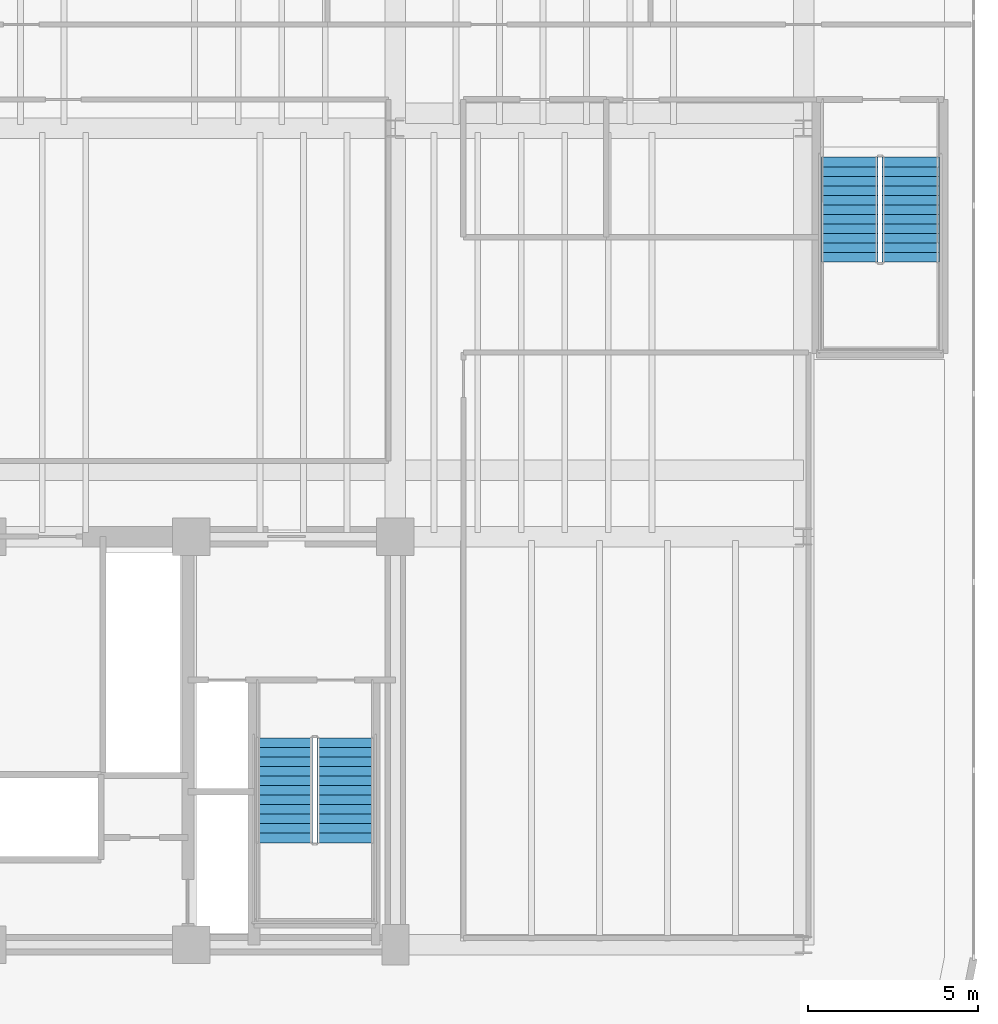
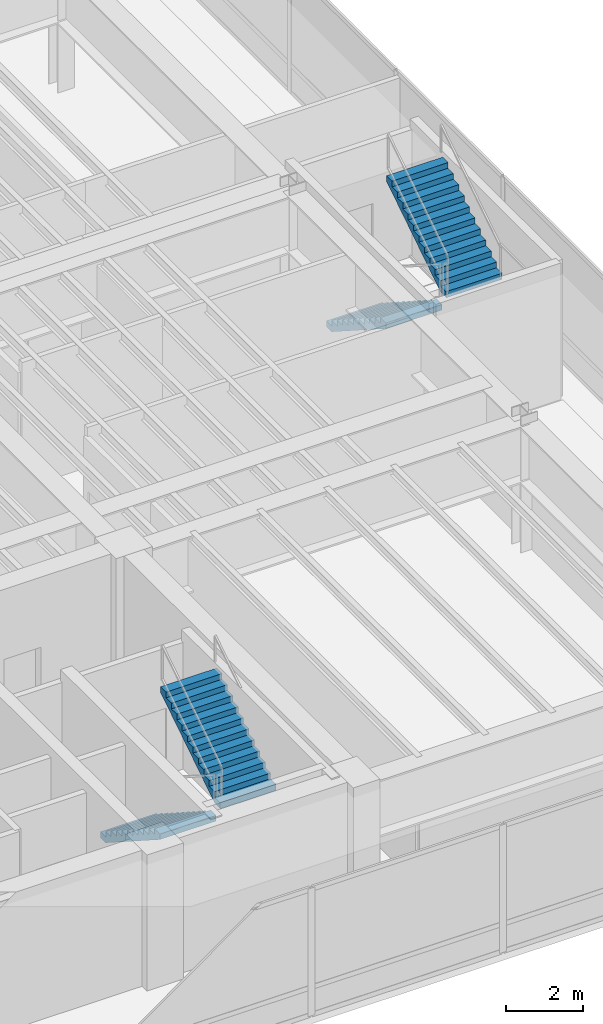
# One storey, part 16 of 19: 4 stair flights, 2 elements without a shape of their own.
"""IFC4 building model written with IfcOpenShell, lengths in metres."""

from ifc_helpers import new_model, si_unit, direction, frame, origin, place, context, subcontext, project, spatial, polyline, outline, extrude, material, type_object, element, aggregate, save


model = new_model("IFC4")

# Units and contexts
model_context = context("Model", 3, precision=1e-05, world=origin(), true_north=direction((0.0, 1.0)))
body_context = subcontext(model_context, "Body", "Model", "MODEL_VIEW")
ifc_project = project(units=[si_unit("LENGTHUNIT", "METRE"), si_unit("AREAUNIT", "SQUARE_METRE"), si_unit("VOLUMEUNIT", "CUBIC_METRE"), si_unit("PLANEANGLEUNIT", "RADIAN"), si_unit("MASSUNIT", "GRAM", prefix="KILO")], contexts=[model_context])

# Site, building, storey
site_placement = place(None, origin())
site = spatial("IfcSite", under=ifc_project, at=site_placement, CompositionType="ELEMENT")
building_placement = place(site_placement, origin())
building = spatial("IfcBuilding", under=site, at=building_placement, Name="Brelvock Crest Care Tower", CompositionType="ELEMENT")
storey_placement = place(building_placement, frame((0.0, 0.0, 18.360107421875)))
storey = spatial("IfcBuildingStorey", under=building, at=storey_placement, Name="L04", CompositionType="ELEMENT", Elevation=18.360107421875)

# Stair, stair flights
ifc_material = material(Name="Concrete N40 (40 MPa)", Category="concrete")
stair_type_1 = type_object("IfcStairType", Name="ST-CORE1", PredefinedType="HALF_TURN_STAIR", material=ifc_material)
stair_1_placement = place(storey_placement, origin())
stair_1 = element("IfcStair", 1, at=stair_1_placement, inside=storey, type_object=stair_type_1, Name="L04 Fire-Isolated Core Stair ST-2", PredefinedType="HALF_TURN_STAIR")
stair_flight_type_1 = type_object("IfcStairFlightType", Name="STF-1", PredefinedType="STRAIGHT", material=ifc_material)
stair_flight_1_placement = place(storey_placement, frame((44.72998046875, 12.080078125, 0.0), z_axis=(0.0, 0.0, 1.0), x_axis=(0.0, -1.0, 0.0)))
stair_flight_1 = element("IfcStairFlight", 2, at=stair_flight_1_placement, type_object=stair_flight_type_1, Name="ST-2 flight 1", NumberOfRisers=12, NumberOfTreads=11, PredefinedType="STRAIGHT", RiserHeight=0.18, TreadLength=0.28, context=body_context, shape_type="SweptSolid", body=[
    extrude(outline(polyline([(-0.00390625, -0.014892578125), (-0.00390625, -0.008056640625), (-0.00390625, -0.0009765625), (-0.00390625, 0.005859375), (-0.00390625, 0.012939453125), (-0.00390625, 0.019775390625), (-0.00390625, 0.02685546875), (-0.00390625, 0.03369140625), (-0.00390625, 0.040771484375), (-0.00390625, 0.047607421875), (-0.00390625, 0.0546875), (-0.00390625, 0.0615234375), (-0.00390625, 0.068603515625), (-0.00390625, 0.075439453125), (-0.00390625, 0.08251953125), (-0.00390625, 0.08935546875), (-0.00390625, 0.096435546875), (-0.00390625, 0.103271484375), (-0.00390625, 0.1103515625), (-0.00390625, 0.117431640625), (-0.00390625, 0.124267578125), (-0.00390625, 0.13134765625), (-0.00390625, 0.13818359375), (-0.00390625, 0.145263671875), (-0.00390625, 0.152099609375), (-0.00390625, 0.1591796875), (-0.00390625, 0.166015625), (-0.00390625, 0.173095703125), (-0.00390625, 0.179931640625), (0.0, 0.179931640625), (0.280029296875, 0.179931640625), (0.280029296875, 0.360107421875), (0.56005859375, 0.360107421875), (0.56005859375, 0.5400390625), (0.840087890625, 0.5400390625), (0.840087890625, 0.719970703125), (1.1201171875, 0.719970703125), (1.1201171875, 0.89990234375), (1.39990234375, 0.89990234375), (1.39990234375, 1.080078125), (1.679931640625, 1.080078125), (1.679931640625, 1.260009765625), (1.9599609375, 1.260009765625), (1.9599609375, 1.43994140625), (2.239990234375, 1.43994140625), (2.239990234375, 1.6201171875), (2.52001953125, 1.6201171875), (2.52001953125, 1.800048828125), (2.800048828125, 1.800048828125), (2.800048828125, 1.97998046875), (3.080078125, 1.97998046875), (3.083984375, 1.97998046875), (3.083740234375, 1.979248046875), (3.083984375, 1.978759765625), (3.083740234375, 1.97802734375), (3.083984375, 1.9775390625), (3.083740234375, 1.976806640625), (3.083984375, 1.97607421875), (3.083740234375, 1.9755859375), (3.083984375, 1.974853515625), (3.083740234375, 1.97412109375), (3.083984375, 1.9736328125), (3.083740234375, 1.972900390625), (3.083984375, 1.97216796875), (3.083740234375, 1.9716796875), (3.083984375, 1.970947265625), (3.083740234375, 1.970458984375), (3.083984375, 1.9697265625), (3.083740234375, 1.968994140625), (3.083984375, 1.968505859375), (3.083740234375, 1.9677734375), (3.083984375, 1.967041015625), (3.083740234375, 1.966552734375), (3.083984375, 1.9658203125), (3.083740234375, 1.96533203125), (3.083984375, 1.964599609375), (3.083740234375, 1.9638671875), (3.083984375, 1.96337890625), (3.083740234375, 1.962646484375), (3.083984375, 1.9619140625), (3.080078125, 1.8017578125), (0.277099609375, 0.0), (0.0, 0.0), (0.0, -0.014892578125), (-0.00390625, -0.014892578125)])), frame((0.0, 0.83984375, 0.0), z_axis=(0.0, -1.0, 0.0), x_axis=(1.0, 0.0, 0.0)), (0.0, 0.0, 1.0), 1.679931640625),
])
stair_flight_2_placement = place(storey_placement, frame((46.530029296875, 9.0, 2.159912109375), z_axis=(0.0, 0.0, 1.0), x_axis=(0.0, 1.0, 0.0)))
stair_flight_2 = element("IfcStairFlight", 3, at=stair_flight_2_placement, type_object=stair_flight_type_1, Name="ST-2 flight 2", NumberOfRisers=12, NumberOfTreads=11, PredefinedType="STRAIGHT", RiserHeight=0.18, TreadLength=0.28, context=body_context, shape_type="SweptSolid", body=[
    extrude(outline(polyline([(-0.00390625, -0.014892578125), (-0.00390625, -0.008056640625), (-0.00390625, -0.0009765625), (-0.00390625, 0.005859375), (-0.00390625, 0.012939453125), (-0.00390625, 0.019775390625), (-0.00390625, 0.02685546875), (-0.00390625, 0.03369140625), (-0.00390625, 0.040771484375), (-0.00390625, 0.047607421875), (-0.00390625, 0.0546875), (-0.00390625, 0.0615234375), (-0.00390625, 0.068603515625), (-0.00390625, 0.075439453125), (-0.00390625, 0.08251953125), (-0.00390625, 0.08935546875), (-0.00390625, 0.096435546875), (-0.00390625, 0.103271484375), (-0.00390625, 0.1103515625), (-0.00390625, 0.117431640625), (-0.00390625, 0.124267578125), (-0.00390625, 0.13134765625), (-0.00390625, 0.13818359375), (-0.00390625, 0.145263671875), (-0.00390625, 0.152099609375), (-0.00390625, 0.1591796875), (-0.00390625, 0.166015625), (-0.00390625, 0.173095703125), (-0.00390625, 0.179931640625), (0.0, 0.179931640625), (0.280029296875, 0.179931640625), (0.280029296875, 0.360107421875), (0.56005859375, 0.360107421875), (0.56005859375, 0.5400390625), (0.840087890625, 0.5400390625), (0.840087890625, 0.719970703125), (1.1201171875, 0.719970703125), (1.1201171875, 0.89990234375), (1.39990234375, 0.89990234375), (1.39990234375, 1.080078125), (1.679931640625, 1.080078125), (1.679931640625, 1.260009765625), (1.9599609375, 1.260009765625), (1.9599609375, 1.43994140625), (2.239990234375, 1.43994140625), (2.239990234375, 1.6201171875), (2.52001953125, 1.6201171875), (2.52001953125, 1.800048828125), (2.800048828125, 1.800048828125), (2.800048828125, 1.97998046875), (3.080078125, 1.97998046875), (3.083984375, 1.97998046875), (3.083740234375, 1.979248046875), (3.083984375, 1.978759765625), (3.083740234375, 1.97802734375), (3.083984375, 1.9775390625), (3.083740234375, 1.976806640625), (3.083984375, 1.97607421875), (3.083740234375, 1.9755859375), (3.083984375, 1.974853515625), (3.083740234375, 1.97412109375), (3.083984375, 1.9736328125), (3.083740234375, 1.972900390625), (3.083984375, 1.97216796875), (3.083740234375, 1.9716796875), (3.083984375, 1.970947265625), (3.083740234375, 1.970458984375), (3.083984375, 1.9697265625), (3.083740234375, 1.968994140625), (3.083984375, 1.968505859375), (3.083740234375, 1.9677734375), (3.083984375, 1.967041015625), (3.083740234375, 1.966552734375), (3.083984375, 1.9658203125), (3.083740234375, 1.96533203125), (3.083984375, 1.964599609375), (3.083740234375, 1.9638671875), (3.083984375, 1.96337890625), (3.083740234375, 1.962646484375), (3.083984375, 1.9619140625), (3.080078125, 1.8017578125), (0.277099609375, 0.0), (0.0, 0.0), (0.0, -0.014892578125), (-0.00390625, -0.014892578125)])), frame((0.0, 0.83984375, 0.0), z_axis=(0.0, -1.0, 0.0), x_axis=(1.0, 0.0, 0.0)), (0.0, 0.0, 1.0), 1.679931640625),
])
aggregate(stair_1, [stair_flight_1, stair_flight_2])

stair_type_2 = type_object("IfcStairType", Name="ST-POD1", PredefinedType="HALF_TURN_STAIR", material=ifc_material)
stair_2_placement = place(storey_placement, origin())
stair_2 = element("IfcStair", 4, at=stair_2_placement, inside=storey, type_object=stair_type_2, Name="L04 Podium East Fire Stair ST-4", PredefinedType="HALF_TURN_STAIR")
stair_flight_type_2 = type_object("IfcStairFlightType", Name="STF-2", PredefinedType="STRAIGHT", material=ifc_material)
stair_flight_3_placement = place(storey_placement, frame((61.35009765625, 29.14990234375, 0.0), z_axis=(0.0, 0.0, 1.0), x_axis=(0.0, -1.0, 0.0)))
stair_flight_3 = element("IfcStairFlight", 5, at=stair_flight_3_placement, type_object=stair_flight_type_2, Name="ST-4 flight 1", NumberOfRisers=12, NumberOfTreads=11, PredefinedType="STRAIGHT", RiserHeight=0.18, TreadLength=0.28, context=body_context, shape_type="SweptSolid", body=[
    extrude(outline(polyline([(-0.00390625, -0.014892578125), (-0.00390625, -0.008056640625), (-0.00390625, -0.0009765625), (-0.00390625, 0.005859375), (-0.00390625, 0.012939453125), (-0.00390625, 0.019775390625), (-0.00390625, 0.02685546875), (-0.00390625, 0.03369140625), (-0.00390625, 0.040771484375), (-0.00390625, 0.047607421875), (-0.00390625, 0.0546875), (-0.00390625, 0.0615234375), (-0.00390625, 0.068603515625), (-0.00390625, 0.075439453125), (-0.00390625, 0.08251953125), (-0.00390625, 0.08935546875), (-0.00390625, 0.096435546875), (-0.00390625, 0.103271484375), (-0.00390625, 0.1103515625), (-0.00390625, 0.117431640625), (-0.00390625, 0.124267578125), (-0.00390625, 0.13134765625), (-0.00390625, 0.13818359375), (-0.00390625, 0.145263671875), (-0.00390625, 0.152099609375), (-0.00390625, 0.1591796875), (-0.00390625, 0.166015625), (-0.00390625, 0.173095703125), (-0.00390625, 0.179931640625), (0.0, 0.179931640625), (0.280029296875, 0.179931640625), (0.280029296875, 0.360107421875), (0.56005859375, 0.360107421875), (0.56005859375, 0.5400390625), (0.840087890625, 0.5400390625), (0.840087890625, 0.719970703125), (1.1201171875, 0.719970703125), (1.1201171875, 0.89990234375), (1.39990234375, 0.89990234375), (1.39990234375, 1.080078125), (1.679931640625, 1.080078125), (1.679931640625, 1.260009765625), (1.9599609375, 1.260009765625), (1.9599609375, 1.43994140625), (2.239990234375, 1.43994140625), (2.239990234375, 1.6201171875), (2.52001953125, 1.6201171875), (2.52001953125, 1.800048828125), (2.800048828125, 1.800048828125), (2.800048828125, 1.97998046875), (3.080078125, 1.97998046875), (3.083984375, 1.97998046875), (3.083740234375, 1.979248046875), (3.083984375, 1.978759765625), (3.083740234375, 1.97802734375), (3.083984375, 1.9775390625), (3.083740234375, 1.976806640625), (3.083984375, 1.97607421875), (3.083740234375, 1.9755859375), (3.083984375, 1.974853515625), (3.083740234375, 1.97412109375), (3.083984375, 1.9736328125), (3.083740234375, 1.972900390625), (3.083984375, 1.97216796875), (3.083740234375, 1.9716796875), (3.083984375, 1.970947265625), (3.083740234375, 1.970458984375), (3.083984375, 1.9697265625), (3.083740234375, 1.968994140625), (3.083984375, 1.968505859375), (3.083740234375, 1.9677734375), (3.083984375, 1.967041015625), (3.083740234375, 1.966552734375), (3.083984375, 1.9658203125), (3.083740234375, 1.96533203125), (3.083984375, 1.964599609375), (3.083740234375, 1.9638671875), (3.083984375, 1.96337890625), (3.083740234375, 1.962646484375), (3.083984375, 1.9619140625), (3.080078125, 1.8017578125), (0.277099609375, 0.0), (0.0, 0.0), (0.0, -0.014892578125), (-0.00390625, -0.014892578125)])), frame((0.0, 0.83984375, 0.0), z_axis=(0.0, -1.0, 0.0), x_axis=(1.0, 0.0, 0.0)), (0.0, 0.0, 1.0), 1.679931640625),
])
stair_flight_4_placement = place(storey_placement, frame((63.14990234375, 26.070068359375, 2.159912109375), z_axis=(0.0, 0.0, 1.0), x_axis=(0.0, 1.0, 0.0)))
stair_flight_4 = element("IfcStairFlight", 6, at=stair_flight_4_placement, type_object=stair_flight_type_2, Name="ST-4 flight 2", NumberOfRisers=12, NumberOfTreads=11, PredefinedType="STRAIGHT", RiserHeight=0.18, TreadLength=0.28, context=body_context, shape_type="SweptSolid", body=[
    extrude(outline(polyline([(-0.00390625, -0.014892578125), (-0.00390625, -0.008056640625), (-0.00390625, -0.0009765625), (-0.00390625, 0.005859375), (-0.00390625, 0.012939453125), (-0.00390625, 0.019775390625), (-0.00390625, 0.02685546875), (-0.00390625, 0.03369140625), (-0.00390625, 0.040771484375), (-0.00390625, 0.047607421875), (-0.00390625, 0.0546875), (-0.00390625, 0.0615234375), (-0.00390625, 0.068603515625), (-0.00390625, 0.075439453125), (-0.00390625, 0.08251953125), (-0.00390625, 0.08935546875), (-0.00390625, 0.096435546875), (-0.00390625, 0.103271484375), (-0.00390625, 0.1103515625), (-0.00390625, 0.117431640625), (-0.00390625, 0.124267578125), (-0.00390625, 0.13134765625), (-0.00390625, 0.13818359375), (-0.00390625, 0.145263671875), (-0.00390625, 0.152099609375), (-0.00390625, 0.1591796875), (-0.00390625, 0.166015625), (-0.00390625, 0.173095703125), (-0.00390625, 0.179931640625), (0.0, 0.179931640625), (0.280029296875, 0.179931640625), (0.280029296875, 0.360107421875), (0.56005859375, 0.360107421875), (0.56005859375, 0.5400390625), (0.840087890625, 0.5400390625), (0.840087890625, 0.719970703125), (1.1201171875, 0.719970703125), (1.1201171875, 0.89990234375), (1.39990234375, 0.89990234375), (1.39990234375, 1.080078125), (1.679931640625, 1.080078125), (1.679931640625, 1.260009765625), (1.9599609375, 1.260009765625), (1.9599609375, 1.43994140625), (2.239990234375, 1.43994140625), (2.239990234375, 1.6201171875), (2.52001953125, 1.6201171875), (2.52001953125, 1.800048828125), (2.800048828125, 1.800048828125), (2.800048828125, 1.97998046875), (3.080078125, 1.97998046875), (3.083984375, 1.97998046875), (3.083740234375, 1.979248046875), (3.083984375, 1.978759765625), (3.083740234375, 1.97802734375), (3.083984375, 1.9775390625), (3.083740234375, 1.976806640625), (3.083984375, 1.97607421875), (3.083740234375, 1.9755859375), (3.083984375, 1.974853515625), (3.083740234375, 1.97412109375), (3.083984375, 1.9736328125), (3.083740234375, 1.972900390625), (3.083984375, 1.97216796875), (3.083740234375, 1.9716796875), (3.083984375, 1.970947265625), (3.083740234375, 1.970458984375), (3.083984375, 1.9697265625), (3.083740234375, 1.968994140625), (3.083984375, 1.968505859375), (3.083740234375, 1.9677734375), (3.083984375, 1.967041015625), (3.083740234375, 1.966552734375), (3.083984375, 1.9658203125), (3.083740234375, 1.96533203125), (3.083984375, 1.964599609375), (3.083740234375, 1.9638671875), (3.083984375, 1.96337890625), (3.083740234375, 1.962646484375), (3.083984375, 1.9619140625), (3.080078125, 1.8017578125), (0.277099609375, 0.0), (0.0, 0.0), (0.0, -0.014892578125), (-0.00390625, -0.014892578125)])), frame((0.0, 0.83984375, 0.0), z_axis=(0.0, -1.0, 0.0), x_axis=(1.0, 0.0, 0.0)), (0.0, 0.0, 1.0), 1.679931640625),
])
aggregate(stair_2, [stair_flight_3, stair_flight_4])

save(model, "model.ifc")
